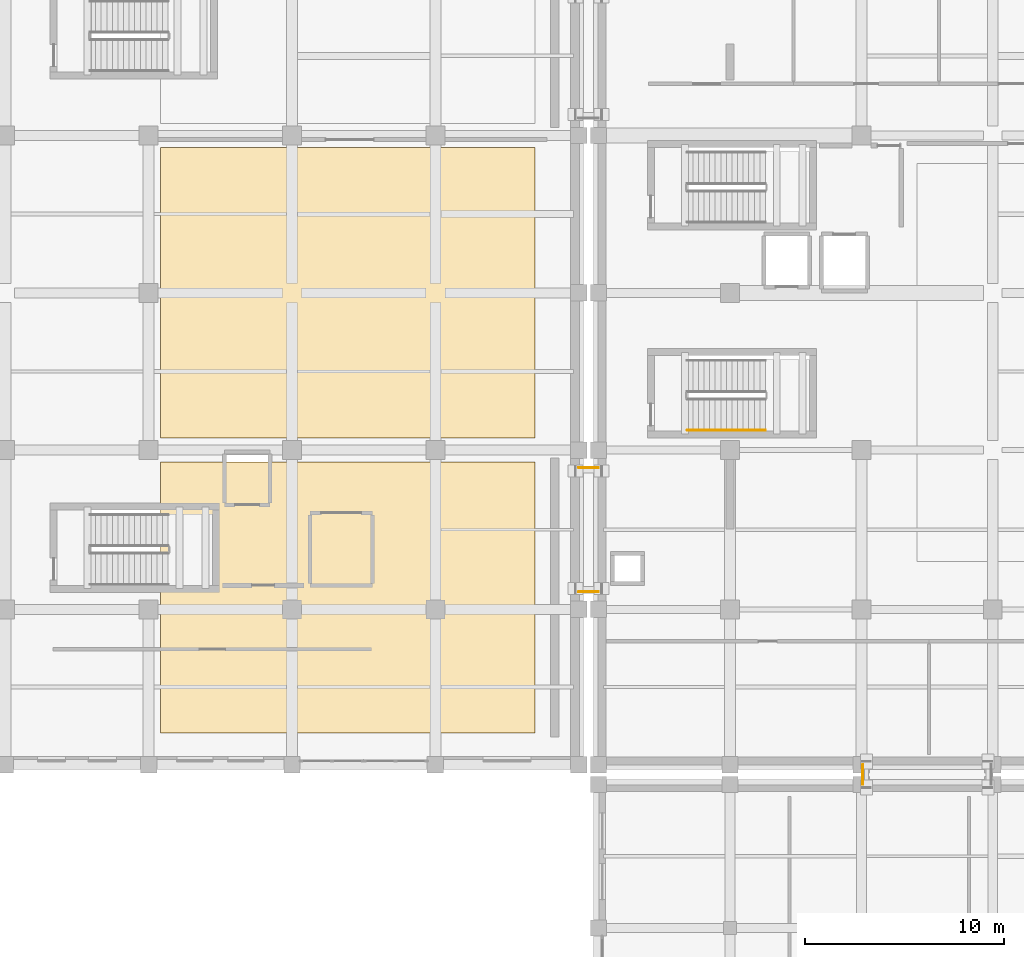
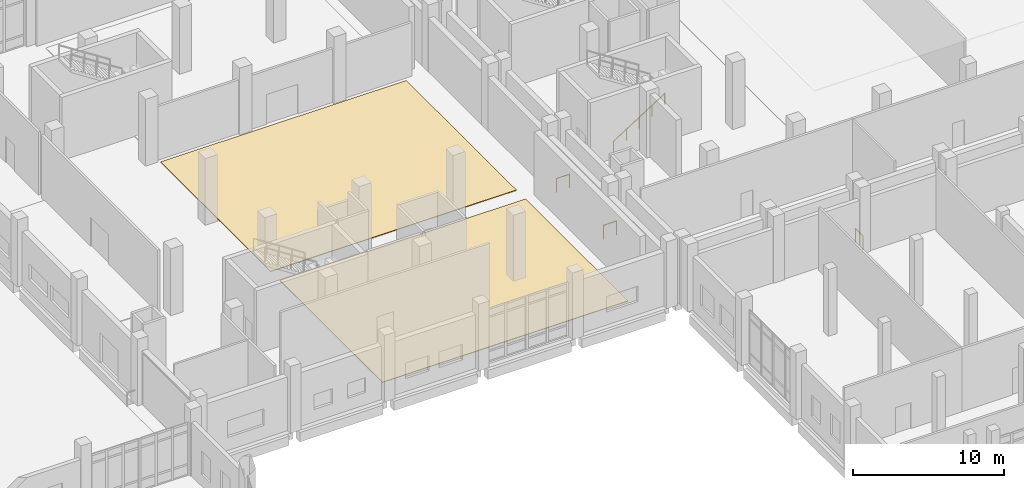
# One storey, part 72 of 79: 4 railings, 2 coverings.
"""IFC4 building model written with IfcOpenShell, lengths in metres."""

from ifc_helpers import new_model, si_unit, direction, frame, origin, origin_2d, place, context, subcontext, project, spatial, polyline, circle, outline, extrude, material, layer, layer_set, type_object, element, save


model = new_model("IFC4")

# Units and contexts
model_context = context("Model", 3, precision=1e-05, world=origin(), true_north=direction((0.0, 1.0)))
body_context = subcontext(model_context, "Body", "Model", "MODEL_VIEW")
ifc_project = project(units=[si_unit("LENGTHUNIT", "METRE"), si_unit("AREAUNIT", "SQUARE_METRE"), si_unit("VOLUMEUNIT", "CUBIC_METRE"), si_unit("PLANEANGLEUNIT", "RADIAN"), si_unit("MASSUNIT", "GRAM", prefix="KILO")], contexts=[model_context])

# Site, building, storey
site_placement = place(None, origin())
site = spatial("IfcSite", under=ifc_project, at=site_placement, CompositionType="ELEMENT")
building_placement = place(site_placement, origin())
building = spatial("IfcBuilding", under=site, at=building_placement, Name="Kelarvand Opera House", CompositionType="ELEMENT")
storey_placement = place(building_placement, origin())
storey = spatial("IfcBuildingStorey", under=building, at=storey_placement, Name="L00", CompositionType="ELEMENT", Elevation=0.0)

# Railings
ifc_material_1 = material(Name="Brushed bronze tubular rail")
railing_type_1 = type_object("IfcRailingType", Name="Brushed Bronze Stair Wall Handrail 900", PredefinedType="HANDRAIL", material=ifc_material_1)
railing_1_placement = place(storey_placement, frame((93.4599609375, 55.60009765625, 0.179931640625)))
element("IfcRailing", 1, at=railing_1_placement, inside=storey, type_object=railing_type_1, Name="L00 ST-04 stair handrail 1", PredefinedType="HANDRAIL", context=body_context, shape_type="SweptSolid", body=[
    extrude(circle(Radius=0.02392578125, at=origin_2d()), frame((0.0, 0.0, 0.8759765625), z_axis=(0.841171666519, 0.0, 0.540768182723), x_axis=(0.0, 1.0, 0.0)), (0.0, 0.0, 1.0), 4.66015625),
    extrude(circle(Radius=0.02099609375, at=origin_2d()), origin(), (0.0, 0.0, 1.0), 0.851806640625),
    extrude(circle(Radius=0.02099609375, at=origin_2d()), frame((0.97998046875, 0.0, 0.6298828125)), (0.0, 0.0, 1.0), 0.851806640625),
    extrude(circle(Radius=0.02099609375, at=origin_2d()), frame((1.9599609375, 0.0, 1.260009765625)), (0.0, 0.0, 1.0), 0.851806640625),
    extrude(circle(Radius=0.02099609375, at=origin_2d()), frame((2.93994140625, 0.0, 1.89013671875)), (0.0, 0.0, 1.0), 0.851806640625),
    extrude(circle(Radius=0.02099609375, at=origin_2d()), frame((3.919921875, 0.0, 2.52001953125)), (0.0, 0.0, 1.0), 0.851806640625),
])
ifc_material_2 = material(Name="Laminated safety glass with bronze cap rail", Category="glass")
railing_type_2 = type_object("IfcRailingType", Name="Laminated Glass and Bronze Foyer Balustrade 1120", PredefinedType="BALUSTRADE", material=ifc_material_2)
for number, where, name in (
    (2, (88.0, 47.47998046875, 0.0), "V1 L00 Balustrade 147"),
    (3, (88.0, 53.719970703125, 0.0), "V1 L00 Balustrade 148"),
):
    element("IfcRailing", number, at=place(storey_placement, frame(where)), inside=storey, type_object=railing_type_2, Name=name, PredefinedType="BALUSTRADE", context=body_context, shape_type="SweptSolid", body=[
        extrude(circle(Radius=0.02392578125, at=origin_2d()), frame((0.0, 0.0, 1.09619140625), z_axis=(1.0, 0.0, 0.0), x_axis=(0.0, 1.0, 0.0)), (0.0, 0.0, 1.0), 1.0),
        extrude(circle(Radius=0.02099609375, at=origin_2d()), origin(), (0.0, 0.0, 1.0), 1.072021484375),
        extrude(circle(Radius=0.02099609375, at=origin_2d()), frame((1.0, 0.0, 0.0)), (0.0, 0.0, 1.0), 1.072021484375),
    ])
railing_2_placement = place(storey_placement, frame((102.280029296875, 37.800048828125, 0.0)))
element("IfcRailing", 4, at=railing_2_placement, inside=storey, type_object=railing_type_2, Name="V1 L00 Balustrade 165", PredefinedType="BALUSTRADE", context=body_context, shape_type="SweptSolid", body=[
    extrude(circle(Radius=0.02392578125, at=origin_2d()), frame((0.0, 0.0, 1.09619140625), z_axis=(0.0, 1.0, 0.0), x_axis=(-1.0, 0.0, 0.0)), (0.0, 0.0, 1.0), 1.0),
    extrude(circle(Radius=0.02099609375, at=origin_2d()), origin(), (0.0, 0.0, 1.0), 1.072021484375),
    extrude(circle(Radius=0.02099609375, at=origin_2d()), frame((0.0, 1.0, 0.0)), (0.0, 0.0, 1.0), 1.072021484375),
])

# Coverings
ifc_material_3 = material(Name="Sprung rift-sawn timber stage flooring", Category="wood")
ifc_layer = layer(ifc_material_3, 0.050048828125, Name="Sprung rift-sawn timber stage flooring", Category="wood")
ifc_layer_set = layer_set([ifc_layer], Name="Sprung rift-sawn timber stage flooring")
covering_type = type_object("IfcCoveringType", Name="Sprung Oregon Pine Stage and Rehearsal Flooring 50mm", PredefinedType="FLOORING", material=ifc_layer_set)
covering_1_placement = place(storey_placement, origin())
element("IfcCovering", 5, at=covering_1_placement, inside=storey, type_object=covering_type, Name="V2 L00 Architectural Flooring 1", PredefinedType="FLOORING", context=body_context, shape_type="SweptSolid", body=[
    extrude(outline(polyline([(67.0, 55.199951171875), (85.800048828125, 55.199951171875), (85.800048828125, 69.800048828125), (67.0, 69.800048828125), (67.0, 55.199951171875)])), origin(), (0.0, 0.0, 1.0), 0.050048828125),
])
covering_2_placement = place(storey_placement, origin())
element("IfcCovering", 6, at=covering_2_placement, inside=storey, type_object=covering_type, Name="V2 L00 Architectural Flooring 3", PredefinedType="FLOORING", context=body_context, shape_type="SweptSolid", body=[
    extrude(outline(polyline([(67.0, 40.39990234375), (85.800048828125, 40.39990234375), (85.800048828125, 54.0), (67.0, 54.0), (67.0, 40.39990234375)])), origin(), (0.0, 0.0, 1.0), 0.050048828125),
])

save(model, "model.ifc")
